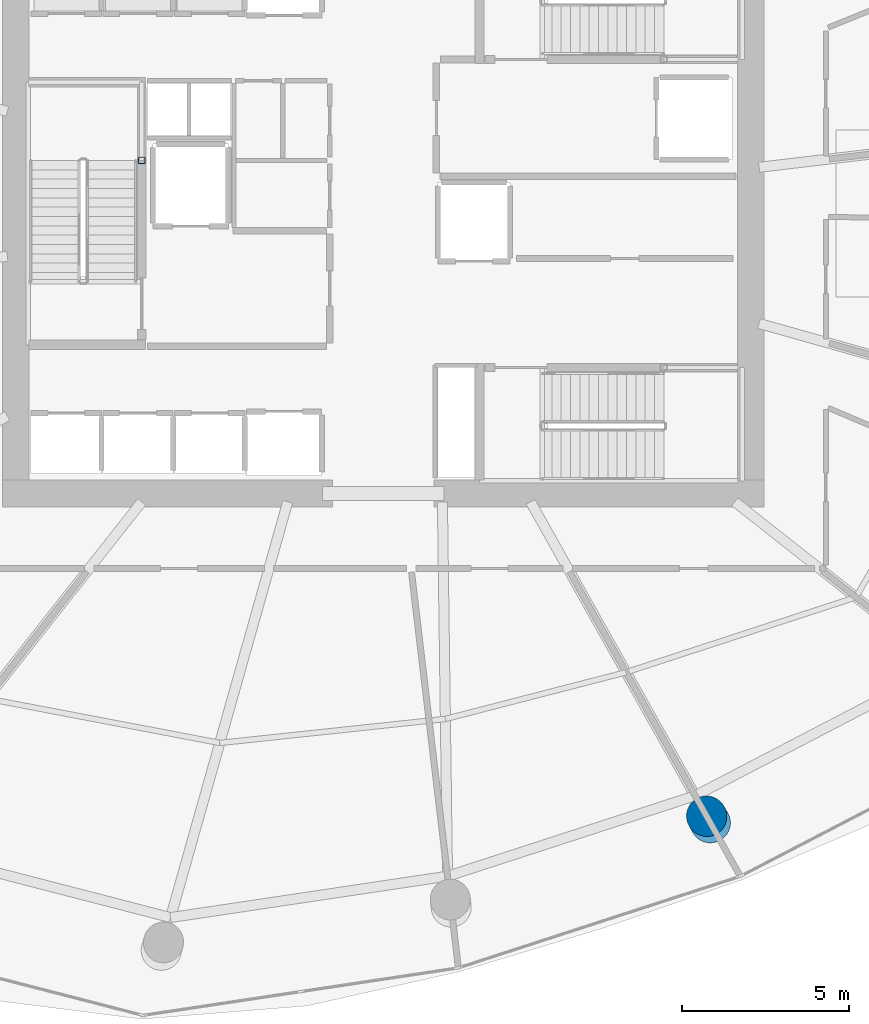
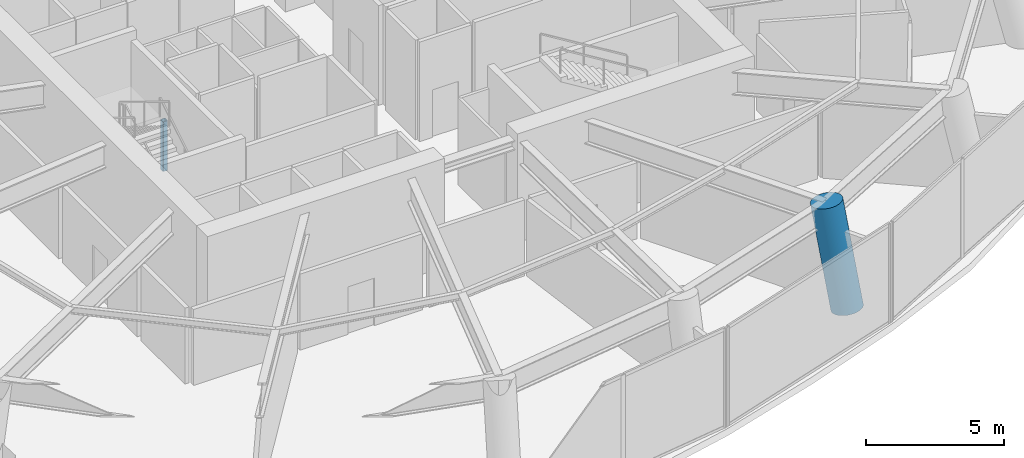
# One storey, part 2 of 16: 2 columns.
"""IFC4 building model written with IfcOpenShell, lengths in metres."""

from ifc_helpers import new_model, si_unit, direction, frame, origin, origin_2d, place, context, subcontext, project, spatial, hollow_rectangle, circle, extrude, material, material_profile, profile_set, type_object, element, save


model = new_model("IFC4")

# Units and contexts
model_context = context("Model", 3, precision=1e-05, world=origin(), true_north=direction((0.0, 1.0)))
body_context = subcontext(model_context, "Body", "Model", "MODEL_VIEW")
ifc_project = project(units=[si_unit("LENGTHUNIT", "METRE"), si_unit("AREAUNIT", "SQUARE_METRE"), si_unit("VOLUMEUNIT", "CUBIC_METRE"), si_unit("PLANEANGLEUNIT", "RADIAN"), si_unit("MASSUNIT", "GRAM", prefix="KILO")], contexts=[model_context])

# Site, building, storey
site_placement = place(None, origin())
site = spatial("IfcSite", under=ifc_project, at=site_placement, CompositionType="ELEMENT")
building_placement = place(site_placement, origin())
building = spatial("IfcBuilding", under=site, at=building_placement, Name="Kazma Halo Residences", CompositionType="ELEMENT")
storey_placement = place(building_placement, frame((0.0, 0.0, 123.0)))
storey = spatial("IfcBuildingStorey", under=building, at=storey_placement, Name="L30", CompositionType="ELEMENT", Elevation=123.0)

# Columns
ifc_material_1 = material(Name="Steel S355", Category="steel")
ifc_material_profile_1 = material_profile(ifc_material_1, hollow_rectangle(XDim=0.199951171875, YDim=0.199951171875, WallThickness=0.010009765625, InnerFilletRadius=0.010009765625, OuterFilletRadius=0.02001953125, at=origin_2d()), Name="SHS200x200x10")
ifc_profile_set_1 = profile_set([ifc_material_profile_1], Name="Steel S355")
column_type_1 = type_object("IfcColumnType", Name="COL-LP-SHS200", PredefinedType="COLUMN", material=ifc_profile_set_1)
column_1_placement = place(storey_placement, frame((41.179931640625, 43.590087890625, 0.0), z_axis=(0.0, 0.0, 1.0), x_axis=(1.0, 0.0, 0.0)))
element("IfcColumn", 1, at=column_1_placement, inside=storey, type_object=column_type_1, Name="L30 ST-01 landing pilaster 1", PredefinedType="COLUMN", context=body_context, shape_type="SweptSolid", body=[
    extrude(hollow_rectangle(XDim=0.199951171875, YDim=0.199951171875, WallThickness=0.010009765625, InnerFilletRadius=0.010009765625, OuterFilletRadius=0.02001953125, at=origin_2d()), origin(), (0.0, 0.0, 1.0), 2.195068359375),
])
ifc_material_2 = material(Name="Concrete C80/95", Category="concrete")
ifc_material_profile_2 = material_profile(ifc_material_2, circle(Radius=0.60009765625, at=origin_2d()), Name="CIRC1200")
ifc_profile_set_2 = profile_set([ifc_material_profile_2], Name="Concrete C80/95")
column_type_2 = type_object("IfcColumnType", Name="COL-PERIM-1200", PredefinedType="COLUMN", material=ifc_profile_set_2)
column_2_placement = place(storey_placement, frame((58.242431640625, 23.7109375, 0.0), z_axis=(-0.094088028289, 0.168029893114, 0.981281508005), x_axis=(-0.872525300596, -0.48856893047, 0.0)))
element("IfcColumn", 2, at=column_2_placement, inside=storey, type_object=column_type_2, Name="L30 perimeter ring column P13", PredefinedType="COLUMN", context=body_context, shape_type="SweptSolid", body=[
    extrude(circle(Radius=0.60009765625, at=origin_2d()), origin(), (0.0, 0.0, 1.0), 4.48388671875),
])

save(model, "model.ifc")
